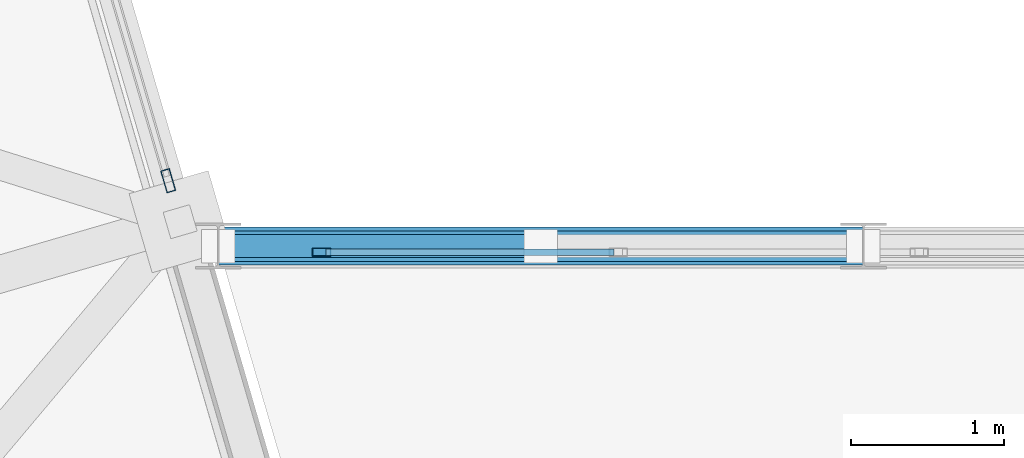
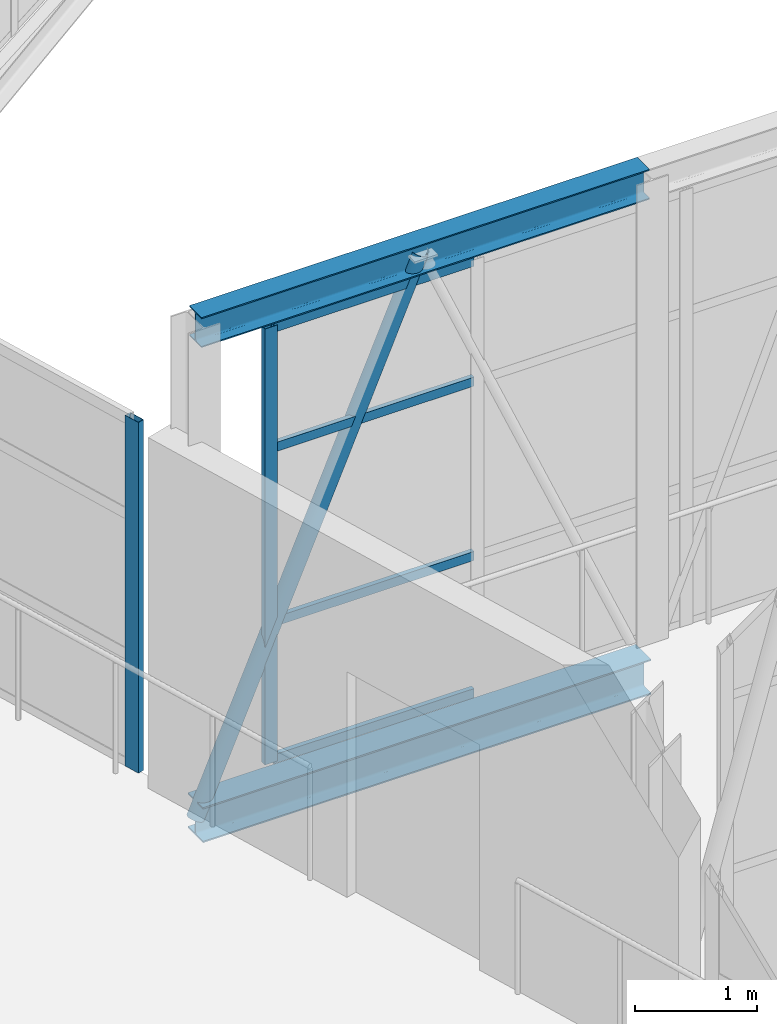
# One storey, part 124 of 248: 9 members, 2 elements without a shape of their own.
"""IFC4 building model written with IfcOpenShell, lengths in metres."""

import ifcopenshell
import ifcopenshell.guid

model = None  # the IFC model being written
_history = None  # IfcOwnerHistory: only IFC2X3 demands one
_inside = {}  # id of a spatial element -> (the spatial element, [elements in it])
_under = {}  # id of a project, library or spatial element -> (it, [spatial elements below it])
_declared = {}  # id of a project -> (the project, [libraries it declares])
_typed = {}  # id of a type object -> (the type object, [elements of that type])
_made_of = {}  # id of a material, layer set ... -> (it, [elements and type objects made of it])


def new_model(schema):
    """Start an empty IFC model of exactly this schema.

    Asked for "IFC4X3", IfcOpenShell would pick the latest addendum, in which some entities
    have other attributes; the version numbers below select the first issue.
    IFC2X3 requires an IfcOwnerHistory on every rooted entity: one is made here for all.
    """
    global model, _history
    if schema == "IFC4X3":
        model = ifcopenshell.file(schema_version=(4, 3, 0, 0))
    else:
        model = ifcopenshell.file(schema=schema)
    _inside.clear()
    _under.clear()
    _declared.clear()
    _typed.clear()
    _made_of.clear()
    _history = None
    if model.schema == "IFC2X3":
        org = make("IfcOrganization", Name="unknown")
        user = make(
            "IfcPersonAndOrganization",
            ThePerson=make("IfcPerson", FamilyName="unknown"),
            TheOrganization=org,
        )
        app = make(
            "IfcApplication",
            ApplicationDeveloper=org,
            Version="unknown",
            ApplicationFullName="unknown",
            ApplicationIdentifier="unknown",
        )
        _history = make(
            "IfcOwnerHistory",
            OwningUser=user,
            OwningApplication=app,
            ChangeAction="ADDED",
            CreationDate=0,
        )
    return model


def make(cls, **values):
    """One entity of the class cls with the attributes given. An attribute that is None is left unset."""
    return model.create_entity(
        cls, **{name: value for name, value in values.items() if value is not None}
    )


def rooted(cls, **values):
    """An entity with a GlobalId (a new one), such as an element, a storey or a relation."""
    return make(cls, GlobalId=ifcopenshell.guid.new(), OwnerHistory=_history, **values)


def si_unit(unit_type, name, prefix=None):
    """IfcSIUnit, for example si_unit("LENGTHUNIT", "METRE", prefix="MILLI")."""
    return make("IfcSIUnit", UnitType=unit_type, Prefix=prefix, Name=name)


def assignment(units):
    """IfcUnitAssignment: the units of a project."""
    return None if units is None else make("IfcUnitAssignment", Units=units)


def point(xyz):
    """IfcCartesianPoint."""
    return None if xyz is None else make("IfcCartesianPoint", Coordinates=xyz)


def direction(xyz):
    """IfcDirection."""
    return None if xyz is None else make("IfcDirection", DirectionRatios=xyz)


def frame(location, z_axis=None, x_axis=None):
    """IfcAxis2Placement3D, a coordinate frame: its origin and axes. An axis left out is left unset."""
    return make(
        "IfcAxis2Placement3D",
        Location=point(location),
        Axis=direction(z_axis),
        RefDirection=direction(x_axis),
    )


def frame_2d(location, x_axis=None):
    """IfcAxis2Placement2D, a coordinate frame in the plane: its origin and x axis."""
    return make(
        "IfcAxis2Placement2D", Location=point(location), RefDirection=direction(x_axis)
    )


def origin():
    """The frame at (0, 0, 0) with its axes left unset."""
    return frame((0.0, 0.0, 0.0))


def origin_2d():
    """The frame at (0, 0) in the plane with its x axis left unset."""
    return frame_2d((0.0, 0.0))


def place(relative_to, where):
    """IfcLocalPlacement: puts the frame where relative to a parent placement (None: the world)."""
    return make(
        "IfcLocalPlacement", PlacementRelTo=relative_to, RelativePlacement=where
    )


def context(
    kind, dimensions, precision=None, world=None, true_north=None, identifier=None
):
    """IfcGeometricRepresentationContext, for example the 3D "Model" context."""
    return make(
        "IfcGeometricRepresentationContext",
        ContextIdentifier=identifier,
        ContextType=kind,
        CoordinateSpaceDimension=dimensions,
        Precision=precision,
        WorldCoordinateSystem=world,
        TrueNorth=true_north,
    )


def subcontext(parent, identifier, kind, view, scale=None):
    """IfcGeometricRepresentationSubContext, for example "Body" below "Model"."""
    return make(
        "IfcGeometricRepresentationSubContext",
        ContextIdentifier=identifier,
        ContextType=kind,
        ParentContext=parent,
        TargetScale=scale,
        TargetView=view,
    )


def project(units=None, contexts=None):
    """IfcProject with its units and contexts."""
    return rooted(
        "IfcProject",
        Name="project",
        RepresentationContexts=contexts,
        UnitsInContext=assignment(units),
    )


def spatial(cls, under=None, at=None, **own):
    """A site, building, storey or space (cls), placed at a placement, below another one or the project."""
    s = rooted(cls, ObjectPlacement=at, **own)
    if under is not None:
        _under.setdefault(under.id(), (under, []))[1].append(s)
    return s


def profile(cls, at=None, kind="AREA", **sizes):
    """A parametric profile (cls). Its sizes go by their IFC names, for example OverallWidth=200.0."""
    return make(cls, ProfileType=kind, Position=at, **sizes)


def hollow_rectangle(**sizes):
    """IfcRectangleHollowProfileDef."""
    return profile("IfcRectangleHollowProfileDef", **sizes)


def hollow_circle(**sizes):
    """IfcCircleHollowProfileDef."""
    return profile("IfcCircleHollowProfileDef", **sizes)


def i_section(**sizes):
    """IfcIShapeProfileDef."""
    return profile("IfcIShapeProfileDef", **sizes)


def extrude(swept, where, along, depth):
    """IfcExtrudedAreaSolid: the profile swept, set in the frame where, extruded along a direction by depth."""
    return make(
        "IfcExtrudedAreaSolid",
        SweptArea=swept,
        Position=where,
        ExtrudedDirection=direction(along),
        Depth=depth,
    )


def shape(context_of_items, identifier, shape_type, items):
    """IfcShapeRepresentation: the items that make up one representation, for example the "Body"."""
    return make(
        "IfcShapeRepresentation",
        ContextOfItems=context_of_items,
        RepresentationIdentifier=identifier,
        RepresentationType=shape_type,
        Items=items,
    )


def material(Name=None, Category=None):
    """IfcMaterial."""
    return make("IfcMaterial", Name=Name, Category=Category)


def layer(
    of_material, thickness, ventilated=None, Name=None, Category=None, Priority=None
):
    """IfcMaterialLayer: one layer of a wall or slab, of a material (None: an air gap)."""
    return make(
        "IfcMaterialLayer",
        Material=of_material,
        LayerThickness=thickness,
        IsVentilated=ventilated,
        Name=Name,
        Category=Category,
        Priority=Priority,
    )


def layer_set(layers, Name=None):
    """IfcMaterialLayerSet."""
    return make("IfcMaterialLayerSet", MaterialLayers=layers, LayerSetName=Name)


def material_profile(
    of_material, cross_section, Name=None, Category=None, Priority=None
):
    """IfcMaterialProfile: a cross section and its material."""
    return make(
        "IfcMaterialProfile",
        Name=Name,
        Material=of_material,
        Profile=cross_section,
        Priority=Priority,
        Category=Category,
    )


def profile_set(profiles, Name=None, composite=None):
    """IfcMaterialProfileSet."""
    return make(
        "IfcMaterialProfileSet",
        Name=Name,
        MaterialProfiles=profiles,
        CompositeProfile=composite,
    )


def made_of(thing, what):
    """Note that an element or type object is made of a material, layer set ...; save() writes the relation."""
    if what is not None:
        _made_of.setdefault(what.id(), (what, []))[1].append(thing)
    return thing


def type_object(cls, material=None, **own):
    """A type object (cls), such as IfcWallType, which elements share."""
    return made_of(rooted(cls, **own), material)


def element(
    cls,
    number,
    at=None,
    inside=None,
    cuts=None,
    type_object=None,
    material=None,
    context=None,
    identifier="Body",
    shape_type=None,
    held_by="IfcProductDefinitionShape",
    body=None,
    shapes=None,
    **own,
):
    """One element of the class cls, such as IfcWall. Its Tag is "e" and its number.

    at: its placement. inside: the storey or other place that contains it. cuts: it is an
    opening in that element (IfcRelVoidsElement). A single representation is given by context,
    identifier, shape_type and body (its items); several are given by shapes. held_by: the class
    of the entity that holds the representations. save() writes the other relations.
    """
    e = rooted(cls, Tag="e%d" % number, ObjectPlacement=at, **own)
    if body is not None:
        shapes = [shape(context, identifier, shape_type, body)]
    if shapes is not None:
        e.Representation = make(held_by, Representations=shapes)
    if inside is not None:
        _inside.setdefault(inside.id(), (inside, []))[1].append(e)
    if cuts is not None:
        rooted(
            "IfcRelVoidsElement", RelatingBuildingElement=cuts, RelatedOpeningElement=e
        )
    if type_object is not None:
        _typed.setdefault(type_object.id(), (type_object, []))[1].append(e)
    return made_of(e, material)


def aggregate(whole, parts):
    """IfcRelAggregates: a whole, such as a stair, and the parts it consists of."""
    return rooted("IfcRelAggregates", RelatingObject=whole, RelatedObjects=parts)


def save(model, path):
    """Write the relations noted so far, then the file.

    IfcRelAggregates (storeys below a building ...), IfcRelContainedInSpatialStructure (elements
    in a storey), IfcRelDefinesByType, IfcRelAssociatesMaterial and IfcRelDeclares: one each for
    every whole, place, type object, material and project.
    """
    for whole, parts in _under.values():
        aggregate(whole, parts)
    for where, things in _inside.values():
        rooted(
            "IfcRelContainedInSpatialStructure",
            RelatedElements=things,
            RelatingStructure=where,
        )
    for kind, things in _typed.values():
        rooted("IfcRelDefinesByType", RelatedObjects=things, RelatingType=kind)
    for what, things in _made_of.values():
        rooted("IfcRelAssociatesMaterial", RelatedObjects=things, RelatingMaterial=what)
    for by, libraries in _declared.values():
        rooted("IfcRelDeclares", RelatingContext=by, RelatedDefinitions=libraries)
    model.write(path)


model = new_model("IFC4")

# Units and contexts
model_context = context("Model", 3, precision=1e-05, world=origin(), true_north=direction((0.0, 1.0)))
body_context = subcontext(model_context, "Body", "Model", "MODEL_VIEW")
ifc_project = project(units=[si_unit("LENGTHUNIT", "METRE"), si_unit("AREAUNIT", "SQUARE_METRE"), si_unit("VOLUMEUNIT", "CUBIC_METRE"), si_unit("PLANEANGLEUNIT", "RADIAN"), si_unit("MASSUNIT", "GRAM", prefix="KILO")], contexts=[model_context])

# Site, building, storey
site_placement = place(None, origin())
site = spatial("IfcSite", under=ifc_project, at=site_placement, CompositionType="ELEMENT")
building_placement = place(site_placement, origin())
building = spatial("IfcBuilding", under=site, at=building_placement, Name="Canggui Botanical Conservatory", CompositionType="ELEMENT")
storey_placement = place(building_placement, frame((0.0, 0.0, 5.39990234375)))
storey = spatial("IfcBuildingStorey", under=building, at=storey_placement, Name="L02", CompositionType="ELEMENT", Elevation=5.39990234375)

# Curtain wall, member
ifc_material_1 = material(Name="Thermally Broken Aluminium", Category="aluminium")
ifc_layer_1 = layer(ifc_material_1, 0.14990234375, Name="Thermally Broken Aluminium", Category="aluminium")
ifc_layer_set_1 = layer_set([ifc_layer_1], Name="Thermally Broken Aluminium")
curtain_wall_type_1 = type_object("IfcCurtainWallType", Name="CW-UNIT-C", PredefinedType="USERDEFINED", material=ifc_layer_set_1)
curtain_wall_1_placement = place(storey_placement, origin())
curtain_wall_1 = element("IfcCurtainWall", 1, at=curtain_wall_1_placement, inside=storey, type_object=curtain_wall_type_1, Name="Facade Curtain Wall CW-CONS-GABLE-L02-N-05", ObjectType="UNITISED CURTAIN WALL", PredefinedType="USERDEFINED")
ifc_material_profile_1 = material_profile(ifc_material_1, hollow_rectangle(XDim=0.06005859375, YDim=0.14990234375, WallThickness=0.00341796875, at=origin_2d()), Name="CWM 60x150x3.5")
ifc_profile_set_1 = profile_set([ifc_material_profile_1], Name="Thermally Broken Aluminium")
member_type_1 = type_object("IfcMemberType", Name="CWM-03", PredefinedType="MULLION", material=ifc_profile_set_1)
member_1_placement = place(storey_placement, frame((65.04150390625, 80.4287109375, 0.0), z_axis=(0.0, 0.0, 1.0), x_axis=(-0.960000000002, -0.279999999995, 0.0)))
member_1 = element("IfcMember", 2, at=member_1_placement, type_object=member_type_1, Name="CW-03 mullion 1", PredefinedType="MULLION", context=body_context, shape_type="SweptSolid", body=[
    extrude(hollow_rectangle(XDim=0.06005859375, YDim=0.14990234375, WallThickness=0.00341796875, at=origin_2d()), origin(), (0.0, 0.0, 1.0), 3.5),
])
aggregate(curtain_wall_1, [member_1])

# Curtain wall, members
ifc_layer_2 = layer(ifc_material_1, 0.1201171875, Name="Thermally Broken Aluminium", Category="aluminium")
ifc_layer_set_2 = layer_set([ifc_layer_2], Name="Thermally Broken Aluminium")
curtain_wall_type_2 = type_object("IfcCurtainWallType", Name="CW-STICK-B", PredefinedType="USERDEFINED", material=ifc_layer_set_2)
curtain_wall_2_placement = place(storey_placement, origin())
curtain_wall_2 = element("IfcCurtainWall", 3, at=curtain_wall_2_placement, inside=storey, type_object=curtain_wall_type_2, Name="Facade Curtain Wall CW-SB-04-2", ObjectType="STICK GLAZED WALL", PredefinedType="USERDEFINED")
ifc_material_profile_2 = material_profile(ifc_material_1, hollow_rectangle(XDim=0.054931640625, YDim=0.1201171875, WallThickness=0.0029296875, at=origin_2d()), Name="CWM 55x120x3")
ifc_profile_set_2 = profile_set([ifc_material_profile_2], Name="Thermally Broken Aluminium")
member_type_2 = type_object("IfcMemberType", Name="CWM-05", PredefinedType="MULLION", material=ifc_profile_set_2)
member_2_placement = place(storey_placement, frame((66.047607421875, 79.9599609375, 0.0), z_axis=(0.0, 0.0, 1.0), x_axis=(0.0, 1.0, 0.0)))
member_2 = element("IfcMember", 4, at=member_2_placement, type_object=member_type_2, Name="CW-05 mullion 1", PredefinedType="MULLION", context=body_context, shape_type="SweptSolid", body=[
    extrude(hollow_rectangle(XDim=0.054931640625, YDim=0.1201171875, WallThickness=0.0029296875, at=origin_2d()), origin(), (0.0, 0.0, 1.0), 4.35009765625),
])
ifc_material_profile_3 = material_profile(ifc_material_1, hollow_rectangle(XDim=0.044921875, YDim=0.090087890625, WallThickness=0.0029296875, at=origin_2d()), Name="CWT 45x90x3")
ifc_profile_set_3 = profile_set([ifc_material_profile_3], Name="Thermally Broken Aluminium")
member_type_3 = type_object("IfcMemberType", Name="CWT-05", PredefinedType="USERDEFINED", material=ifc_profile_set_3)
member_3_placement = place(storey_placement, frame((66.074951171875, 79.9599609375, 0.022705078125), z_axis=(1.0, 0.0, 0.0), x_axis=(0.0, 1.0, 0.0)))
member_3 = element("IfcMember", 5, at=member_3_placement, type_object=member_type_3, Name="CW-05 transom 1.1", ObjectType="TRANSOM", PredefinedType="USERDEFINED", context=body_context, shape_type="SweptSolid", body=[
    extrude(hollow_rectangle(XDim=0.044921875, YDim=0.090087890625, WallThickness=0.0029296875, at=origin_2d()), origin(), (0.0, 0.0, 1.0), 1.890380859375),
])
member_4_placement = place(storey_placement, frame((66.074951171875, 79.9599609375, 1.39208984375), z_axis=(1.0, 0.0, 0.0), x_axis=(0.0, 1.0, 0.0)))
member_4 = element("IfcMember", 6, at=member_4_placement, type_object=member_type_3, Name="CW-05 transom 1.2", ObjectType="TRANSOM", PredefinedType="USERDEFINED", context=body_context, shape_type="SweptSolid", body=[
    extrude(hollow_rectangle(XDim=0.044921875, YDim=0.090087890625, WallThickness=0.0029296875, at=origin_2d()), origin(), (0.0, 0.0, 1.0), 1.890380859375),
])
member_5_placement = place(storey_placement, frame((66.074951171875, 79.9599609375, 3.132080078125), z_axis=(1.0, 0.0, 0.0), x_axis=(0.0, 1.0, 0.0)))
member_5 = element("IfcMember", 7, at=member_5_placement, type_object=member_type_3, Name="CW-05 transom 1.3", ObjectType="TRANSOM", PredefinedType="USERDEFINED", context=body_context, shape_type="SweptSolid", body=[
    extrude(hollow_rectangle(XDim=0.044921875, YDim=0.090087890625, WallThickness=0.0029296875, at=origin_2d()), origin(), (0.0, 0.0, 1.0), 1.890380859375),
])
member_6_placement = place(storey_placement, frame((66.074951171875, 79.9599609375, 4.32763671875), z_axis=(1.0, 0.0, 0.0), x_axis=(0.0, 1.0, 0.0)))
member_6 = element("IfcMember", 8, at=member_6_placement, type_object=member_type_3, Name="CW-05 transom 1.4", ObjectType="TRANSOM", PredefinedType="USERDEFINED", context=body_context, shape_type="SweptSolid", body=[
    extrude(hollow_rectangle(XDim=0.044921875, YDim=0.090087890625, WallThickness=0.0029296875, at=origin_2d()), origin(), (0.0, 0.0, 1.0), 1.890380859375),
])
aggregate(curtain_wall_2, [member_2, member_3, member_4, member_5, member_6])

# Members
ifc_material_2 = material(Name="Steel Q355C", Category="steel")
ifc_material_profile_4 = material_profile(ifc_material_2, hollow_circle(Radius=0.075927734375, WallThickness=0.006103515625, at=origin_2d()), Name="CHS 152x6")
ifc_profile_set_4 = profile_set([ifc_material_profile_4], Name="Steel Q355C")
member_type_4 = type_object("IfcMemberType", Name="MEM-GSD04", PredefinedType="RAFTER", material=ifc_profile_set_4)
member_7_placement = place(storey_placement, frame((65.3701171875, 80.0, -0.349853515625), z_axis=(0.396297558957, 0.0, 0.918122129547), x_axis=(0.0, 1.0, 0.0)))
element("IfcMember", 9, at=member_7_placement, inside=storey, type_object=member_type_4, Name="SB-04 Truss Web Rafter 2.1A", PredefinedType="RAFTER", context=body_context, shape_type="SweptSolid", body=[
    extrude(hollow_circle(Radius=0.075927734375, WallThickness=0.006103515625, at=origin_2d()), origin(), (0.0, 0.0, 1.0), 5.3369140625),
])
ifc_material_3 = material(Name="Steel Q355B", Category="steel")
ifc_material_profile_5 = material_profile(ifc_material_3, i_section(OverallWidth=0.25, OverallDepth=0.35009765625, WebThickness=0.009033203125, FlangeThickness=0.013916015625, FilletRadius=0.02001953125, at=origin_2d()), Name="HM 350x250x9x14")
ifc_profile_set_5 = profile_set([ifc_material_profile_5], Name="Steel Q355B")
member_type_5 = type_object("IfcMemberType", Name="MEM-TC03", PredefinedType="CHORD", material=ifc_profile_set_5)
member_8_placement = place(storey_placement, frame((65.3701171875, 80.0, -0.349853515625), z_axis=(1.0, 0.0, 0.0), x_axis=(0.0, 1.0, 0.0)))
element("IfcMember", 10, at=member_8_placement, inside=storey, type_object=member_type_5, Name="SB-04 Deck Truss Bottom Chord 2.1", PredefinedType="CHORD", context=body_context, shape_type="SweptSolid", body=[
    extrude(i_section(OverallWidth=0.25, OverallDepth=0.35009765625, WebThickness=0.009033203125, FlangeThickness=0.013916015625, FilletRadius=0.02001953125, at=origin_2d()), origin(), (0.0, 0.0, 1.0), 4.22998046875),
])
ifc_material_profile_6 = material_profile(ifc_material_3, i_section(OverallWidth=0.199951171875, OverallDepth=0.300048828125, WebThickness=0.008056640625, FlangeThickness=0.011962890625, FilletRadius=0.01806640625, at=origin_2d()), Name="HM 300x200x8x12")
ifc_profile_set_6 = profile_set([ifc_material_profile_6], Name="Steel Q355B")
member_type_6 = type_object("IfcMemberType", Name="MEM-TC04", PredefinedType="CHORD", material=ifc_profile_set_6)
member_9_placement = place(storey_placement, frame((65.3701171875, 80.0, 4.550048828125), z_axis=(1.0, 0.0, 0.0), x_axis=(0.0, 1.0, 0.0)))
element("IfcMember", 11, at=member_9_placement, inside=storey, type_object=member_type_6, Name="SB-04 Roof Truss Top Chord 2.1", PredefinedType="CHORD", context=body_context, shape_type="SweptSolid", body=[
    extrude(i_section(OverallWidth=0.199951171875, OverallDepth=0.300048828125, WebThickness=0.008056640625, FlangeThickness=0.011962890625, FilletRadius=0.01806640625, at=origin_2d()), origin(), (0.0, 0.0, 1.0), 4.22998046875),
])

save(model, "model.ifc")
